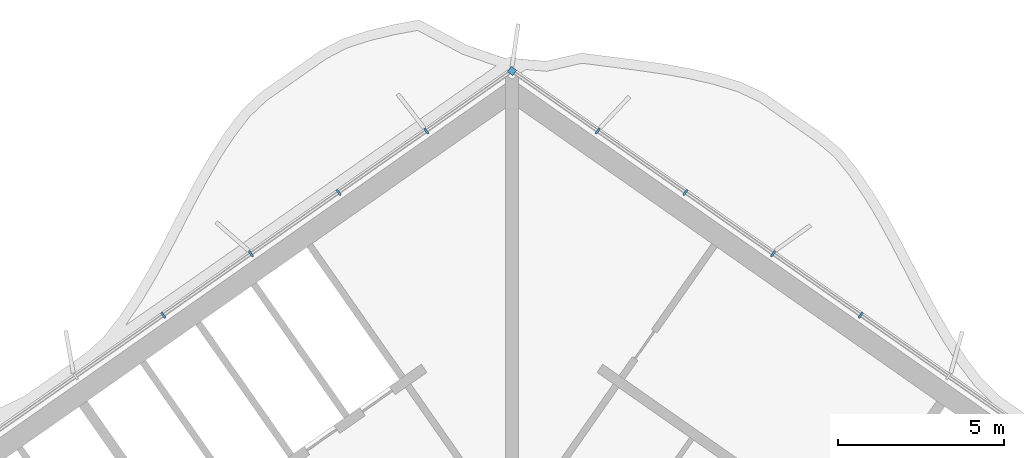
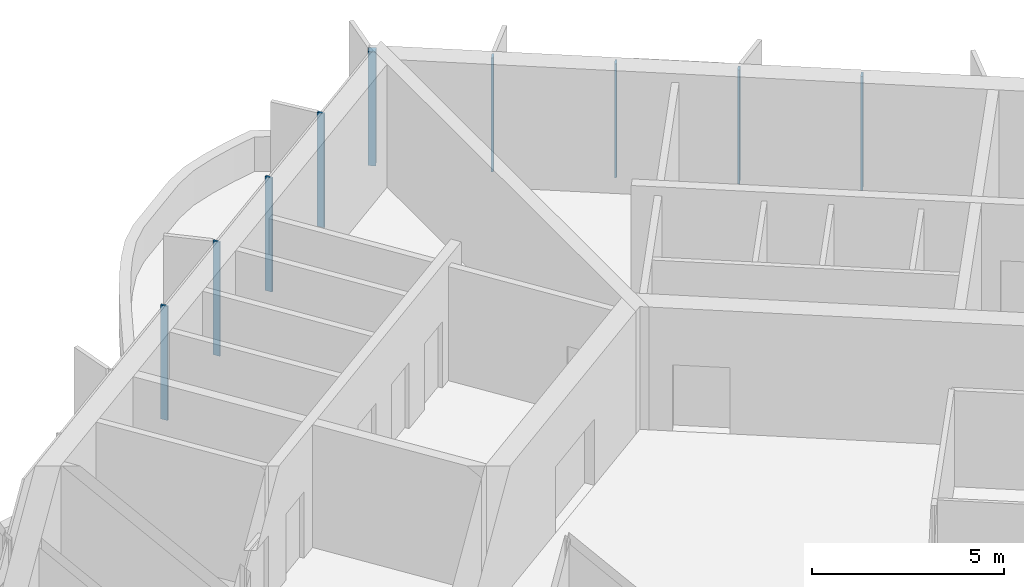
# One storey, part 6 of 18: 9 members, 1 element without a shape of its own.
"""IFC4 building model written with IfcOpenShell, lengths in metres."""

from ifc_helpers import new_model, si_unit, direction, frame, origin, origin_2d, place, context, subcontext, project, spatial, rectangle, extrude, material, material_profile, profile_set, type_object, element, aggregate, save


model = new_model("IFC4")

# Units and contexts
model_context = context("Model", 3, precision=1e-05, world=origin(), true_north=direction((0.0, 1.0)))
body_context = subcontext(model_context, "Body", "Model", "MODEL_VIEW")
ifc_project = project(units=[si_unit("LENGTHUNIT", "METRE"), si_unit("AREAUNIT", "SQUARE_METRE"), si_unit("VOLUMEUNIT", "CUBIC_METRE"), si_unit("PLANEANGLEUNIT", "RADIAN"), si_unit("MASSUNIT", "GRAM", prefix="KILO")], contexts=[model_context])

# Site, building, storey
site_placement = place(None, origin())
site = spatial("IfcSite", under=ifc_project, at=site_placement, CompositionType="ELEMENT")
building_placement = place(site_placement, origin())
building = spatial("IfcBuilding", under=site, at=building_placement, Name="Tel Ilan Convention Tower", CompositionType="ELEMENT")
storey_placement = place(building_placement, frame((0.0, 0.0, 299.5)))
storey = spatial("IfcBuildingStorey", under=building, at=storey_placement, Name="L71", CompositionType="ELEMENT", Elevation=299.5)

# Curtain wall, members
ifc_material_1 = material(Name="Aluminium, bronze anodised", Category="aluminium")
curtain_wall_type = type_object("IfcCurtainWallType", Name="CW2 STICK CURTAIN WALL, SPANDREL PANELS", PredefinedType="NOTDEFINED", material=ifc_material_1)
curtain_wall_placement = place(storey_placement, origin())
curtain_wall = element("IfcCurtainWall", 1, at=curtain_wall_placement, inside=storey, type_object=curtain_wall_type, Name="Curtain wall CW2-54.01", PredefinedType="NOTDEFINED")
ifc_material_2 = material(Name="Aluminium, bronze anodised", Category="aluminium")
ifc_material_profile_1 = material_profile(ifc_material_2, rectangle(XDim=0.199951171875, YDim=0.199951171875, at=origin_2d()), Name="CW CORNER MULLION 200x200")
ifc_profile_set_1 = profile_set([ifc_material_profile_1], Name="Aluminium, bronze anodised")
member_type_1 = type_object("IfcMemberType", Name="CW CORNER MULLION 200x200", PredefinedType="MULLION", material=ifc_profile_set_1)
member_1_placement = place(storey_placement, frame((0.0, 12.696044921875, 0.0), z_axis=(0.0, 0.0, 1.0), x_axis=(-0.819152044289, 0.573576436351, 0.0)))
member_1 = element("IfcMember", 2, at=member_1_placement, type_object=member_type_1, Name="Corner mullion", PredefinedType="MULLION", context=body_context, shape_type="SweptSolid", body=[
    extrude(rectangle(XDim=0.199951171875, YDim=0.199951171875, at=origin_2d()), origin(), (0.0, 0.0, 1.0), 3.6201171875),
])
ifc_material_3 = material(Name="Aluminium, bronze anodised", Category="aluminium")
ifc_material_profile_2 = material_profile(ifc_material_3, rectangle(XDim=0.06005859375, YDim=0.199951171875, at=origin_2d()), Name="CW MULLION 60x200")
ifc_profile_set_2 = profile_set([ifc_material_profile_2], Name="Aluminium, bronze anodised")
member_type_2 = type_object("IfcMemberType", Name="CW MULLION 60x200", PredefinedType="MULLION", material=ifc_profile_set_2)
member_2_placement = place(storey_placement, frame((10.47314453125, 5.36279296875, 0.0), z_axis=(0.0, 0.0, 1.0), x_axis=(-0.819152044289, 0.573576436351, 0.0)))
member_2 = element("IfcMember", 3, at=member_2_placement, type_object=member_type_2, Name="Mullion", PredefinedType="MULLION", context=body_context, shape_type="SweptSolid", body=[
    extrude(rectangle(XDim=0.06005859375, YDim=0.199951171875, at=origin_2d()), origin(), (0.0, 0.0, 1.0), 3.6201171875),
])
member_3_placement = place(storey_placement, frame((7.840576171875, 7.2060546875, 0.0), z_axis=(0.0, 0.0, 1.0), x_axis=(-0.819152044289, 0.573576436351, 0.0)))
member_3 = element("IfcMember", 4, at=member_3_placement, type_object=member_type_2, Name="Mullion", PredefinedType="MULLION", context=body_context, shape_type="SweptSolid", body=[
    extrude(rectangle(XDim=0.06005859375, YDim=0.199951171875, at=origin_2d()), origin(), (0.0, 0.0, 1.0), 3.6201171875),
])
member_4_placement = place(storey_placement, frame((5.207763671875, 9.049560546875, 0.0), z_axis=(0.0, 0.0, 1.0), x_axis=(-0.819152044289, 0.573576436351, 0.0)))
member_4 = element("IfcMember", 5, at=member_4_placement, type_object=member_type_2, Name="Mullion", PredefinedType="MULLION", context=body_context, shape_type="SweptSolid", body=[
    extrude(rectangle(XDim=0.06005859375, YDim=0.199951171875, at=origin_2d()), origin(), (0.0, 0.0, 1.0), 3.6201171875),
])
member_5_placement = place(storey_placement, frame((2.5751953125, 10.892822265625, 0.0), z_axis=(0.0, 0.0, 1.0), x_axis=(-0.819152044289, 0.573576436351, 0.0)))
member_5 = element("IfcMember", 6, at=member_5_placement, type_object=member_type_2, Name="Mullion", PredefinedType="MULLION", context=body_context, shape_type="SweptSolid", body=[
    extrude(rectangle(XDim=0.06005859375, YDim=0.199951171875, at=origin_2d()), origin(), (0.0, 0.0, 1.0), 3.6201171875),
])
member_6_placement = place(storey_placement, frame((-2.5751953125, 10.892822265625, 0.0), z_axis=(0.0, 0.0, 1.0), x_axis=(-0.819152044289, -0.573576436351, 0.0)))
member_6 = element("IfcMember", 7, at=member_6_placement, type_object=member_type_2, Name="Mullion", PredefinedType="MULLION", context=body_context, shape_type="SweptSolid", body=[
    extrude(rectangle(XDim=0.06005859375, YDim=0.199951171875, at=origin_2d()), origin(), (0.0, 0.0, 1.0), 3.6201171875),
])
member_7_placement = place(storey_placement, frame((-5.207763671875, 9.049560546875, 0.0), z_axis=(0.0, 0.0, 1.0), x_axis=(-0.819152044289, -0.573576436351, 0.0)))
member_7 = element("IfcMember", 8, at=member_7_placement, type_object=member_type_2, Name="Mullion", PredefinedType="MULLION", context=body_context, shape_type="SweptSolid", body=[
    extrude(rectangle(XDim=0.06005859375, YDim=0.199951171875, at=origin_2d()), origin(), (0.0, 0.0, 1.0), 3.6201171875),
])
member_8_placement = place(storey_placement, frame((-7.840576171875, 7.2060546875, 0.0), z_axis=(0.0, 0.0, 1.0), x_axis=(-0.819152044289, -0.573576436351, 0.0)))
member_8 = element("IfcMember", 9, at=member_8_placement, type_object=member_type_2, Name="Mullion", PredefinedType="MULLION", context=body_context, shape_type="SweptSolid", body=[
    extrude(rectangle(XDim=0.06005859375, YDim=0.199951171875, at=origin_2d()), origin(), (0.0, 0.0, 1.0), 3.6201171875),
])
member_9_placement = place(storey_placement, frame((-10.47314453125, 5.36279296875, 0.0), z_axis=(0.0, 0.0, 1.0), x_axis=(-0.819152044289, -0.573576436351, 0.0)))
member_9 = element("IfcMember", 10, at=member_9_placement, type_object=member_type_2, Name="Mullion", PredefinedType="MULLION", context=body_context, shape_type="SweptSolid", body=[
    extrude(rectangle(XDim=0.06005859375, YDim=0.199951171875, at=origin_2d()), origin(), (0.0, 0.0, 1.0), 3.6201171875),
])
aggregate(curtain_wall, [member_2, member_3, member_4, member_5, member_1, member_6, member_7, member_8, member_9])

save(model, "model.ifc")
